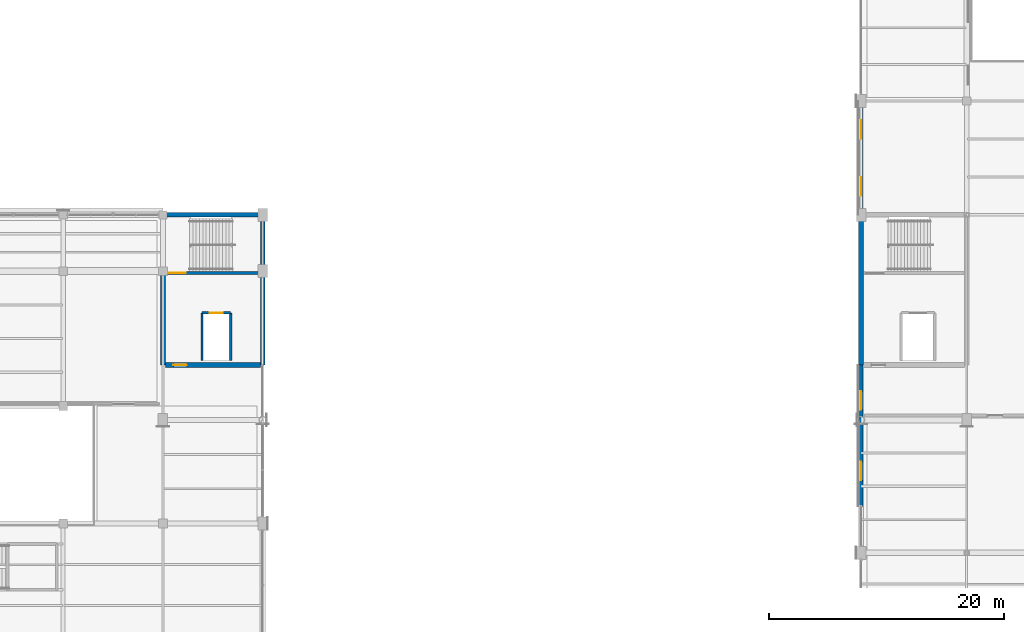
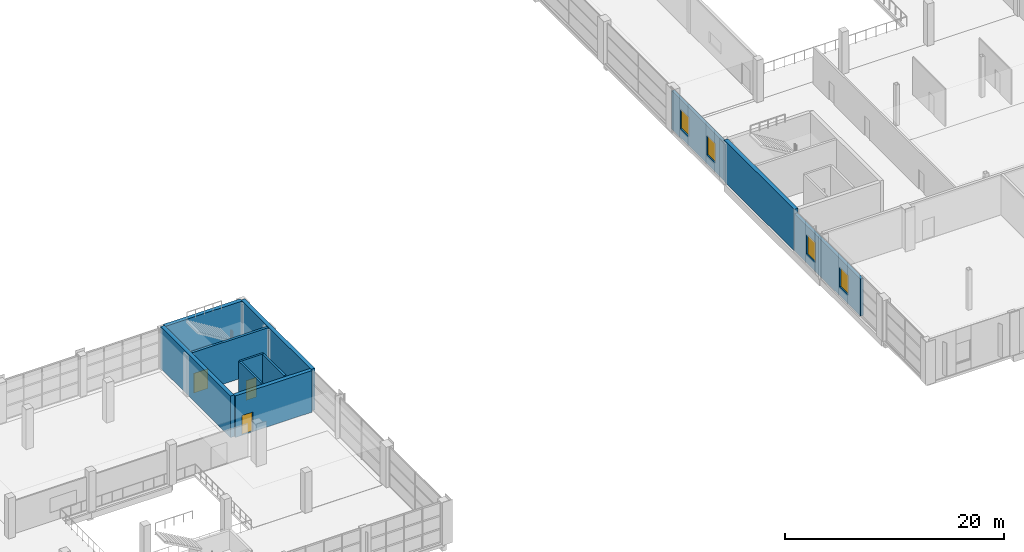
# One storey, part 92 of 112: 11 walls, 4 windows, 3 doors, 7 openings.
"""IFC4 building model written with IfcOpenShell, lengths in metres."""

from ifc_helpers import new_model, si_unit, direction, frame, frame_2d, origin, place, context, subcontext, project, spatial, rectangle, extrude, material, layer, layer_set, type_object, element, fill, save


model = new_model("IFC4")

# Units and contexts
model_context = context("Model", 3, precision=1e-05, world=origin(), true_north=direction((0.0, 1.0)))
body_context = subcontext(model_context, "Body", "Model", "MODEL_VIEW")
ifc_project = project(units=[si_unit("LENGTHUNIT", "METRE"), si_unit("AREAUNIT", "SQUARE_METRE"), si_unit("VOLUMEUNIT", "CUBIC_METRE"), si_unit("PLANEANGLEUNIT", "RADIAN"), si_unit("MASSUNIT", "GRAM", prefix="KILO")], contexts=[model_context])

# Site, building, storey
site_placement = place(None, origin())
site = spatial("IfcSite", under=ifc_project, at=site_placement, CompositionType="ELEMENT")
building_placement = place(site_placement, origin())
building = spatial("IfcBuilding", under=site, at=building_placement, Name="Solvikara Media Centre", CompositionType="ELEMENT")
storey_placement = place(building_placement, frame((0.0, 0.0, 5.39990234375)))
storey = spatial("IfcBuildingStorey", under=building, at=storey_placement, Name="L01", CompositionType="ELEMENT", Elevation=5.39990234375)

# Walls
ifc_material_1 = material(Name="Concrete fc' 45 MPa (C45/55)", Category="concrete")
ifc_layer_1 = layer(ifc_material_1, 0.39990234375)
ifc_layer_set_1 = layer_set([ifc_layer_1], Name="Concrete fc' 45 MPa (C45/55)")
wall_type_1 = type_object("IfcWallType", Name="WT-02", PredefinedType="SHEAR", material=ifc_layer_set_1)
for number, where, z_axis, x_axis, name in (
    (1, (68.0, 24.0, 0.0), (0.0, 0.0, 1.0), (0.0, 1.0, 0.0), "CW-C3-L01-W"),
    (2, (76.5, 24.0, 0.0), (0.0, 0.0, 1.0), (0.0, 1.0, 0.0), "CW-C3-L01-E"),
):
    element("IfcWall", number, at=place(storey_placement, frame(where, z_axis=z_axis, x_axis=x_axis)), inside=storey, type_object=wall_type_1, Name=name, PredefinedType="SHEAR", context=body_context, shape_type="SweptSolid", body=[
        extrude(rectangle(XDim=12.800048828125, YDim=0.39990234375, at=frame_2d((6.39990234375, 0.0))), origin(), (0.0, 0.0, 1.0), 4.64013671875),
    ])
wall_1_placement = place(storey_placement, frame((68.199951171875, 36.800048828125, 0.0), z_axis=(0.0, 0.0, 1.0), x_axis=(1.0, 0.0, 0.0)))
element("IfcWall", 3, at=wall_1_placement, inside=storey, type_object=wall_type_1, Name="CW-C3-L01-N", PredefinedType="SHEAR", context=body_context, shape_type="SweptSolid", body=[
    extrude(rectangle(XDim=8.10009765625, YDim=0.39990234375, at=frame_2d((4.050048828125, 0.0))), origin(), (0.0, 0.0, 1.0), 4.64013671875),
])

# Wall, opening, door
wall_2_placement = place(storey_placement, frame((68.199951171875, 24.0, 0.0), z_axis=(0.0, 0.0, 1.0), x_axis=(1.0, 0.0, 0.0)))
wall_2 = element("IfcWall", 4, at=wall_2_placement, inside=storey, type_object=wall_type_1, Name="CW-C3-L01-S", PredefinedType="SHEAR", context=body_context, shape_type="SweptSolid", body=[
    extrude(rectangle(XDim=8.10009765625, YDim=0.39990234375, at=frame_2d((4.050048828125, 0.0))), origin(), (0.0, 0.0, 1.0), 4.64013671875),
])
opening_1_placement = place(wall_2_placement, frame((0.699951171875, 0.0, 0.0)))
opening_1 = element("IfcOpeningElement", 5, at=opening_1_placement, cuts=wall_2, Name="Opening D-C3-L01-LOB", PredefinedType="OPENING", context=body_context, shape_type="SweptSolid", body=[
    extrude(rectangle(XDim=1.14990234375, YDim=2.199951171875, at=frame_2d((0.574951171875, 1.10009765625))), frame((0.0, 0.2119140625, 0.0), z_axis=(0.0, -1.0, 0.0), x_axis=(1.0, 0.0, 0.0)), (0.0, 0.0, 1.0), 0.423828125),
])
ifc_material_2 = material(Name="Insulated fire-rated steel door leaf", Category="steel")
door_type_1 = type_object("IfcDoorType", Name="DT-09", OperationType="NOTDEFINED", PredefinedType="DOOR", material=ifc_material_2)
door_1_placement = place(opening_1_placement, frame((1.14990234375, 0.0, 0.0), z_axis=(0.0, 0.0, 1.0), x_axis=(-1.0, 0.0, 0.0)))
door_1 = element("IfcDoor", 6, at=door_1_placement, inside=storey, type_object=door_type_1, Name="D-C3-L01-LOB", OperationType="SINGLE_SWING_RIGHT", OverallHeight=2.199951171875, OverallWidth=1.14990234375, PredefinedType="DOOR", context=body_context, shape_type="SweptSolid", body=[
    extrude(rectangle(XDim=1.14990234375, YDim=2.199951171875, at=frame_2d((0.574951171875, 1.10009765625))), frame((0.0, 0.02490234375, 0.0), z_axis=(0.0, -1.0, 0.0), x_axis=(1.0, 0.0, 0.0)), (0.0, 0.0, 1.0), 0.050048828125),
])
fill(opening_1, door_1)

# Wall
wall_3_placement = place(storey_placement, frame((127.5, 24.0, 0.0), z_axis=(0.0, 0.0, 1.0), x_axis=(0.0, 1.0, 0.0)))
element("IfcWall", 7, at=wall_3_placement, inside=storey, type_object=wall_type_1, Name="CW-C4-L01-W", PredefinedType="SHEAR", context=body_context, shape_type="SweptSolid", body=[
    extrude(rectangle(XDim=12.800048828125, YDim=0.39990234375, at=frame_2d((6.39990234375, 0.0))), origin(), (0.0, 0.0, 1.0), 4.64013671875),
])

# Wall, opening, door
ifc_layer_2 = layer(ifc_material_1, 0.25)
ifc_layer_set_2 = layer_set([ifc_layer_2], Name="Concrete fc' 45 MPa (C45/55)")
wall_type_2 = type_object("IfcWallType", Name="WT-07", PredefinedType="STANDARD", material=ifc_layer_set_2)
wall_4_placement = place(storey_placement, frame((68.25, 31.85009765625, 0.0), z_axis=(0.0, 0.0, 1.0), x_axis=(1.0, 0.0, 0.0)))
wall_4 = element("IfcWall", 8, at=wall_4_placement, inside=storey, type_object=wall_type_2, Name="CW-C3-L01-SD", PredefinedType="STANDARD", context=body_context, shape_type="SweptSolid", body=[
    extrude(rectangle(XDim=8.0, YDim=0.25, at=frame_2d((4.0, 0.0))), origin(), (0.0, 0.0, 1.0), 4.64013671875),
])
opening_2_placement = place(wall_4_placement, frame((0.199951171875, 0.0, 0.0)))
opening_2 = element("IfcOpeningElement", 9, at=opening_2_placement, cuts=wall_4, Name="Opening D-C3-L01-ST", PredefinedType="OPENING", context=body_context, shape_type="SweptSolid", body=[
    extrude(rectangle(XDim=1.5, YDim=2.199951171875, at=frame_2d((0.75, 1.10009765625))), frame((0.0, 0.136962890625, 0.0), z_axis=(0.0, -1.0, 0.0), x_axis=(1.0, 0.0, 0.0)), (0.0, 0.0, 1.0), 0.27392578125),
])
door_type_2 = type_object("IfcDoorType", Name="DT-08", OperationType="DOUBLE_DOOR_SINGLE_SWING", PredefinedType="DOOR", material=ifc_material_2)
door_2_placement = place(opening_2_placement, frame((1.5, 0.0, 0.0), z_axis=(0.0, 0.0, 1.0), x_axis=(-1.0, 0.0, 0.0)))
door_2 = element("IfcDoor", 10, at=door_2_placement, inside=storey, type_object=door_type_2, Name="D-C3-L01-ST", OperationType="DOUBLE_DOOR_SINGLE_SWING", OverallHeight=2.199951171875, OverallWidth=1.5, PredefinedType="DOOR", context=body_context, shape_type="SweptSolid", body=[
    extrude(rectangle(XDim=1.5, YDim=2.199951171875, at=frame_2d((0.75, 1.10009765625))), frame((0.0, 0.02490234375, 0.0), z_axis=(0.0, -1.0, 0.0), x_axis=(1.0, 0.0, 0.0)), (0.0, 0.0, 1.0), 0.050048828125),
])
fill(opening_2, door_2)

# Wall, openings, windows
ifc_material_3 = material(Name="Precast concrete fc' 40 MPa (C40/50)", Category="concrete")
ifc_layer_3 = layer(ifc_material_3, 0.31005859375)
ifc_layer_set_3 = layer_set([ifc_layer_3], Name="Precast concrete fc' 40 MPa (C40/50)")
wall_type_3 = type_object("IfcWallType", Name="WT-10", PredefinedType="STANDARD", material=ifc_layer_set_3)
wall_5_placement = place(storey_placement, frame((127.5, 11.9599609375, 0.0), z_axis=(0.0, 0.0, 1.0), x_axis=(0.0, 1.0, 0.0)))
wall_5 = element("IfcWall", 11, at=wall_5_placement, inside=storey, type_object=wall_type_3, Name="EW-L01-V5-W", PredefinedType="STANDARD", context=body_context, shape_type="SweptSolid", body=[
    extrude(rectangle(XDim=12.0400390625, YDim=0.31005859375, at=frame_2d((6.02001953125, 0.0))), origin(), (0.0, 0.0, 1.0), 4.148193359375),
])
opening_3_placement = place(wall_5_placement, frame((2.2099609375, 0.0, 1.0)))
opening_3 = element("IfcOpeningElement", 12, at=opening_3_placement, cuts=wall_5, Name="Opening W-L01-V5W-W01", PredefinedType="OPENING", context=body_context, shape_type="SweptSolid", body=[
    extrude(rectangle(XDim=1.60009765625, YDim=2.199951171875, at=frame_2d((0.800048828125, 1.10009765625))), frame((0.0, 0.1669921875, 0.0), z_axis=(0.0, -1.0, 0.0), x_axis=(1.0, 0.0, 0.0)), (0.0, 0.0, 1.0), 0.333984375),
])
opening_4_placement = place(wall_5_placement, frame((8.22998046875, 0.0, 1.0)))
opening_4 = element("IfcOpeningElement", 13, at=opening_4_placement, cuts=wall_5, Name="Opening W-L01-V5W-W02", PredefinedType="OPENING", context=body_context, shape_type="SweptSolid", body=[
    extrude(rectangle(XDim=1.60009765625, YDim=2.199951171875, at=frame_2d((0.800048828125, 1.10009765625))), frame((0.0, 0.1669921875, 0.0), z_axis=(0.0, -1.0, 0.0), x_axis=(1.0, 0.0, 0.0)), (0.0, 0.0, 1.0), 0.333984375),
])
ifc_material_4 = material(Name="Double-glazed low-E architectural glass", Category="glass")
window_type = type_object("IfcWindowType", Name="WN-07", PartitioningType="SINGLE_PANEL", PredefinedType="WINDOW", material=ifc_material_4)
window_1_placement = place(opening_3_placement, origin())
window_1 = element("IfcWindow", 14, at=window_1_placement, inside=storey, type_object=window_type, Name="W-L01-V5W-W01", OverallHeight=2.199951171875, OverallWidth=1.60009765625, PartitioningType="SINGLE_PANEL", PredefinedType="WINDOW", context=body_context, shape_type="SweptSolid", body=[
    extrude(rectangle(XDim=1.60009765625, YDim=2.199951171875, at=frame_2d((0.800048828125, 1.10009765625))), frame((0.0, 0.030029296875, 0.0), z_axis=(0.0, -1.0, 0.0), x_axis=(1.0, 0.0, 0.0)), (0.0, 0.0, 1.0), 0.06005859375),
])
fill(opening_3, window_1)
window_2_placement = place(opening_4_placement, origin())
window_2 = element("IfcWindow", 15, at=window_2_placement, inside=storey, type_object=window_type, Name="W-L01-V5W-W02", OverallHeight=2.199951171875, OverallWidth=1.60009765625, PartitioningType="SINGLE_PANEL", PredefinedType="WINDOW", context=body_context, shape_type="SweptSolid", body=[
    extrude(rectangle(XDim=1.60009765625, YDim=2.199951171875, at=frame_2d((0.800048828125, 1.10009765625))), frame((0.0, 0.030029296875, 0.0), z_axis=(0.0, -1.0, 0.0), x_axis=(1.0, 0.0, 0.0)), (0.0, 0.0, 1.0), 0.06005859375),
])
fill(opening_4, window_2)

wall_6_placement = place(storey_placement, frame((127.5, 36.800048828125, 0.0), z_axis=(0.0, 0.0, 1.0), x_axis=(0.0, 1.0, 0.0)))
wall_6 = element("IfcWall", 16, at=wall_6_placement, inside=storey, type_object=wall_type_3, Name="EW-L01-V5-WN", PredefinedType="STANDARD", context=body_context, shape_type="SweptSolid", body=[
    extrude(rectangle(XDim=9.699951171875, YDim=0.31005859375, at=frame_2d((4.85009765625, 0.0))), origin(), (0.0, 0.0, 1.0), 4.248046875),
])
opening_5_placement = place(wall_6_placement, frame((1.625, 0.0, 1.0)))
opening_5 = element("IfcOpeningElement", 17, at=opening_5_placement, cuts=wall_6, Name="Opening W-L01-V5WN-W01", PredefinedType="OPENING", context=body_context, shape_type="SweptSolid", body=[
    extrude(rectangle(XDim=1.60009765625, YDim=2.199951171875, at=frame_2d((0.800048828125, 1.10009765625))), frame((0.0, 0.1669921875, 0.0), z_axis=(0.0, -1.0, 0.0), x_axis=(1.0, 0.0, 0.0)), (0.0, 0.0, 1.0), 0.333984375),
])
opening_6_placement = place(wall_6_placement, frame((6.47509765625, 0.0, 1.0)))
opening_6 = element("IfcOpeningElement", 18, at=opening_6_placement, cuts=wall_6, Name="Opening W-L01-V5WN-W02", PredefinedType="OPENING", context=body_context, shape_type="SweptSolid", body=[
    extrude(rectangle(XDim=1.60009765625, YDim=2.199951171875, at=frame_2d((0.800048828125, 1.10009765625))), frame((0.0, 0.1669921875, 0.0), z_axis=(0.0, -1.0, 0.0), x_axis=(1.0, 0.0, 0.0)), (0.0, 0.0, 1.0), 0.333984375),
])
window_3_placement = place(opening_5_placement, origin())
window_3 = element("IfcWindow", 19, at=window_3_placement, inside=storey, type_object=window_type, Name="W-L01-V5WN-W01", OverallHeight=2.199951171875, OverallWidth=1.60009765625, PartitioningType="SINGLE_PANEL", PredefinedType="WINDOW", context=body_context, shape_type="SweptSolid", body=[
    extrude(rectangle(XDim=1.60009765625, YDim=2.199951171875, at=frame_2d((0.800048828125, 1.10009765625))), frame((0.0, 0.030029296875, 0.0), z_axis=(0.0, -1.0, 0.0), x_axis=(1.0, 0.0, 0.0)), (0.0, 0.0, 1.0), 0.06005859375),
])
fill(opening_5, window_3)
window_4_placement = place(opening_6_placement, origin())
window_4 = element("IfcWindow", 20, at=window_4_placement, inside=storey, type_object=window_type, Name="W-L01-V5WN-W02", OverallHeight=2.199951171875, OverallWidth=1.60009765625, PartitioningType="SINGLE_PANEL", PredefinedType="WINDOW", context=body_context, shape_type="SweptSolid", body=[
    extrude(rectangle(XDim=1.60009765625, YDim=2.199951171875, at=frame_2d((0.800048828125, 1.10009765625))), frame((0.0, 0.030029296875, 0.0), z_axis=(0.0, -1.0, 0.0), x_axis=(1.0, 0.0, 0.0)), (0.0, 0.0, 1.0), 0.06005859375),
])
fill(opening_6, window_4)

# Walls
ifc_material_5 = material(Name="Fire-rated gypsum and mineral-wool shaft wall assembly")
ifc_layer_4 = layer(ifc_material_5, 0.2099609375)
ifc_layer_set_4 = layer_set([ifc_layer_4], Name="Fire-rated gypsum and mineral-wool shaft wall assembly")
wall_type_4 = type_object("IfcWallType", Name="WT-17", PredefinedType="PARTITIONING", material=ifc_layer_set_4)
for number, where, z_axis, x_axis, name in (
    (21, (71.330078125, 24.39990234375, 0.0), (0.0, 0.0, 1.0), (0.0, 1.0, 0.0), "LW-LF-FF2-L01-W"),
    (22, (73.77001953125, 24.39990234375, 0.0), (0.0, 0.0, 1.0), (0.0, 1.0, 0.0), "LW-LF-FF2-L01-E"),
):
    element("IfcWall", number, at=place(storey_placement, frame(where, z_axis=z_axis, x_axis=x_axis)), inside=storey, type_object=wall_type_4, Name=name, PredefinedType="PARTITIONING", context=body_context, shape_type="SweptSolid", body=[
        extrude(rectangle(XDim=4.050048828125, YDim=0.2099609375, at=frame_2d((2.02490234375, 0.0))), origin(), (0.0, 0.0, 1.0), 4.64013671875),
    ])

# Wall, opening, door
wall_7_placement = place(storey_placement, frame((71.330078125, 28.449951171875, 0.0), z_axis=(0.0, 0.0, 1.0), x_axis=(1.0, 0.0, 0.0)))
wall_7 = element("IfcWall", 23, at=wall_7_placement, inside=storey, type_object=wall_type_4, Name="LW-LF-FF2-L01-N", PredefinedType="PARTITIONING", context=body_context, shape_type="SweptSolid", body=[
    extrude(rectangle(XDim=2.43994140625, YDim=0.2099609375, at=frame_2d((1.219970703125, 0.0))), origin(), (0.0, 0.0, 1.0), 4.64013671875),
])
opening_7_placement = place(wall_7_placement, frame((0.669921875, 0.0, 0.0)))
opening_7 = element("IfcOpeningElement", 24, at=opening_7_placement, cuts=wall_7, Name="Opening LD-LF-FF2-L01", PredefinedType="OPENING", context=body_context, shape_type="SweptSolid", body=[
    extrude(rectangle(XDim=1.10009765625, YDim=2.199951171875, at=frame_2d((0.550048828125, 1.10009765625))), frame((0.0, 0.116943359375, 0.0), z_axis=(0.0, -1.0, 0.0), x_axis=(1.0, 0.0, 0.0)), (0.0, 0.0, 1.0), 0.23388671875),
])
door_type_3 = type_object("IfcDoorType", Name="LD-01", OperationType="DOUBLE_DOOR_SLIDING", PredefinedType="DOOR", material=ifc_material_2)
door_3_placement = place(opening_7_placement, origin())
door_3 = element("IfcDoor", 25, at=door_3_placement, inside=storey, type_object=door_type_3, Name="LD-LF-FF2-L01", OperationType="DOUBLE_DOOR_SLIDING", OverallHeight=2.199951171875, OverallWidth=1.10009765625, PredefinedType="DOOR", context=body_context, shape_type="SweptSolid", body=[
    extrude(rectangle(XDim=1.10009765625, YDim=2.199951171875, at=frame_2d((0.550048828125, 1.10009765625))), frame((0.0, 0.02490234375, 0.0), z_axis=(0.0, -1.0, 0.0), x_axis=(1.0, 0.0, 0.0)), (0.0, 0.0, 1.0), 0.050048828125),
])
fill(opening_7, door_3)

save(model, "model.ifc")
